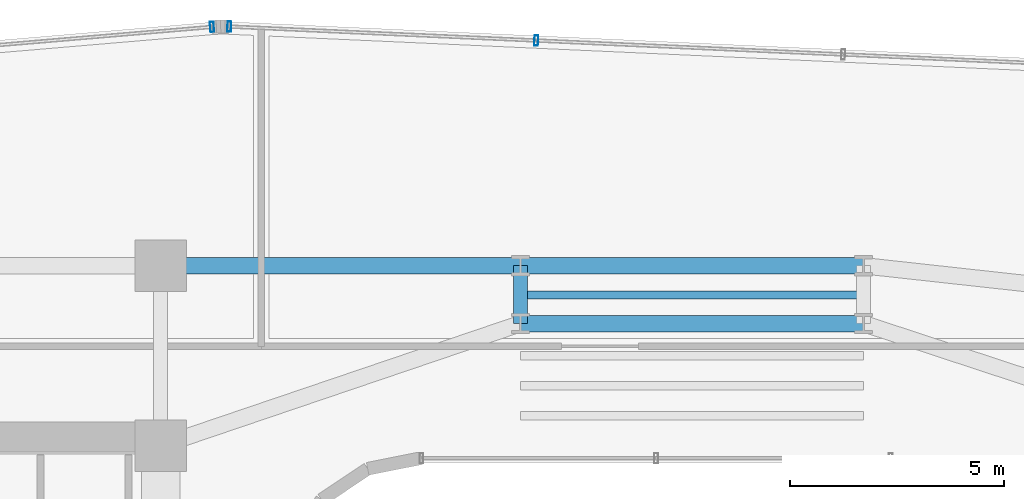
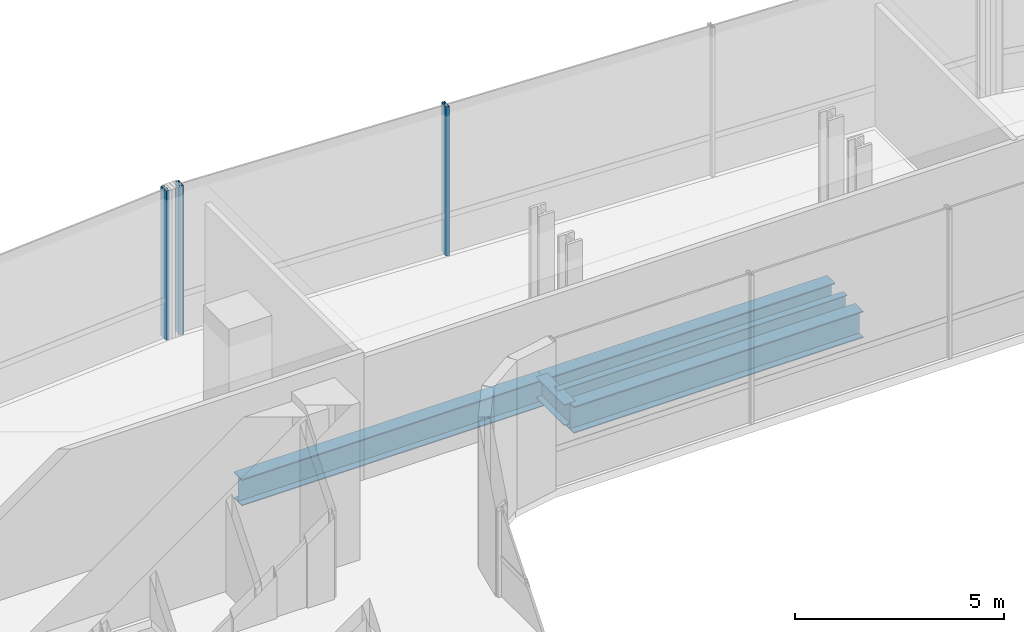
# One storey, part 19 of 32: 5 beams, 3 members, 2 elements without a shape of their own.
"""IFC4 building model written with IfcOpenShell, lengths in metres."""

from ifc_helpers import new_model, si_unit, direction, frame, origin, origin_2d, place, context, subcontext, project, spatial, hollow_rectangle, i_section, extrude, source, transform, mapped, material, material_profile, profile_set, type_object, element, aggregate, save


model = new_model("IFC4")

# Units and contexts
model_context = context("Model", 3, precision=1e-05, world=origin(), true_north=direction((0.0, 1.0)))
body_context = subcontext(model_context, "Body", "Model", "MODEL_VIEW")
ifc_project = project(units=[si_unit("LENGTHUNIT", "METRE"), si_unit("AREAUNIT", "SQUARE_METRE"), si_unit("VOLUMEUNIT", "CUBIC_METRE"), si_unit("PLANEANGLEUNIT", "RADIAN"), si_unit("MASSUNIT", "GRAM", prefix="KILO")], contexts=[model_context])

# Site, building, storey
site_placement = place(None, origin())
site = spatial("IfcSite", under=ifc_project, at=site_placement, CompositionType="ELEMENT")
building_placement = place(site_placement, origin())
building = spatial("IfcBuilding", under=site, at=building_placement, Name="Valdorenza Pilgrim Sanctuary Tower", CompositionType="ELEMENT")
storey_placement = place(building_placement, frame((0.0, 0.0, 101.10009765625)))
storey = spatial("IfcBuildingStorey", under=building, at=storey_placement, Name="L25", CompositionType="ELEMENT", Elevation=101.10009765625)

# Beams
ifc_material_1 = material(Name="Steel ASTM A992 Grade 50", Category="steel")
ifc_material_profile_1 = material_profile(ifc_material_1, i_section(OverallWidth=0.323974609375, OverallDepth=0.611083984375, WebThickness=0.0126953125, FlangeThickness=0.01904296875, at=origin_2d()), Name="W24X104")
ifc_profile_set_1 = profile_set([ifc_material_profile_1], Name="Steel ASTM A992 Grade 50")
beam_type_1 = type_object("IfcBeamType", Name="STR-BM-GRD-W24B", PredefinedType="BEAM", material=ifc_profile_set_1)
shared_shape_1 = source(origin(), body_context, "Body", "SweptSolid", [
    extrude(i_section(OverallWidth=0.323974609375, OverallDepth=0.611083984375, WebThickness=0.0126953125, FlangeThickness=0.01904296875, at=origin_2d()), origin(), (0.0, 0.0, 1.0), 1.35009765625),
])
beam_1_placement = place(storey_placement, frame((-4.0, 13.449951171875, -0.545654296875), z_axis=(0.0, 1.0, 0.0), x_axis=(-1.0, 0.0, 0.0)))
element("IfcBeam", 1, at=beam_1_placement, inside=storey, type_object=beam_type_1, Name="L25 Floor Girder KNK-TIE-W", PredefinedType="BEAM", context=body_context, shape_type="MappedRepresentation", body=[
    mapped(shared_shape_1, transform((0.0, 0.0, 0.0), x_axis=(1.0, 0.0, 0.0), y_axis=(0.0, 1.0, 0.0), z_axis=(0.0, 0.0, 1.0), scale=1.0)),
])
ifc_material_profile_2 = material_profile(ifc_material_1, i_section(OverallWidth=0.382080078125, OverallDepth=0.779052734375, WebThickness=0.01806640625, FlangeThickness=0.030029296875, at=origin_2d()), Name="W30X191")
ifc_profile_set_2 = profile_set([ifc_material_profile_2], Name="Steel ASTM A992 Grade 50")
beam_type_2 = type_object("IfcBeamType", Name="STR-BM-GRD-W30", PredefinedType="BEAM", material=ifc_profile_set_2)
shared_shape_2 = source(origin(), body_context, "Body", "SweptSolid", [
    extrude(i_section(OverallWidth=0.382080078125, OverallDepth=0.779052734375, WebThickness=0.01806640625, FlangeThickness=0.030029296875, at=origin_2d()), origin(), (0.0, 0.0, 1.0), 8.0),
])
for number, where, z_axis, x_axis, name in (
    (2, (-4.0, 13.449951171875, -0.629638671875), (1.0, 0.0, 0.0), (0.0, 1.0, 0.0), "L25 Floor Girder KNK-G2"),
    (3, (-4.0, 14.800048828125, -0.629638671875), (1.0, 0.0, 0.0), (0.0, 1.0, 0.0), "L25 Floor Girder KNK-G5"),
):
    element("IfcBeam", number, at=place(storey_placement, frame(where, z_axis=z_axis, x_axis=x_axis)), inside=storey, type_object=beam_type_2, Name=name, PredefinedType="BEAM", context=body_context, shape_type="MappedRepresentation", body=[
        mapped(shared_shape_2, transform((0.0, 0.0, 0.0), x_axis=(1.0, 0.0, 0.0), y_axis=(0.0, 1.0, 0.0), z_axis=(0.0, 0.0, 1.0), scale=1.0)),
    ])
shared_shape_3 = source(origin(), body_context, "Body", "SweptSolid", [
    extrude(i_section(OverallWidth=0.382080078125, OverallDepth=0.779052734375, WebThickness=0.01806640625, FlangeThickness=0.030029296875, at=origin_2d()), origin(), (0.0, 0.0, 1.0), 8.39990234375),
])
beam_2_placement = place(storey_placement, frame((-12.39990234375, 14.800048828125, -0.629638671875), z_axis=(1.0, 0.0, 0.0), x_axis=(0.0, 1.0, 0.0)))
element("IfcBeam", 4, at=beam_2_placement, inside=storey, type_object=beam_type_2, Name="L25 Floor Girder KNK-G4", PredefinedType="BEAM", context=body_context, shape_type="MappedRepresentation", body=[
    mapped(shared_shape_3, transform((0.0, 0.0, 0.0), x_axis=(1.0, 0.0, 0.0), y_axis=(0.0, 1.0, 0.0), z_axis=(0.0, 0.0, 1.0), scale=1.0)),
])
ifc_material_profile_3 = material_profile(ifc_material_1, i_section(OverallWidth=0.19091796875, OverallDepth=0.45703125, WebThickness=0.009033203125, FlangeThickness=0.014404296875, at=origin_2d()), Name="W18X50")
ifc_profile_set_3 = profile_set([ifc_material_profile_3], Name="Steel ASTM A992 Grade 50")
beam_type_3 = type_object("IfcBeamType", Name="STR-BM-JST-W18B", PredefinedType="JOIST", material=ifc_profile_set_3)
shared_shape_4 = source(origin(), body_context, "Body", "SweptSolid", [
    extrude(i_section(OverallWidth=0.19091796875, OverallDepth=0.45703125, WebThickness=0.009033203125, FlangeThickness=0.014404296875, at=origin_2d()), origin(), (0.0, 0.0, 1.0), 8.0),
])
beam_3_placement = place(storey_placement, frame((-4.0, 14.1201171875, -0.468505859375), z_axis=(1.0, 0.0, 0.0), x_axis=(0.0, 1.0, 0.0)))
element("IfcBeam", 5, at=beam_3_placement, inside=storey, type_object=beam_type_3, Name="L25 Knuckle Composite Joist JST-KNK-4", PredefinedType="JOIST", context=body_context, shape_type="MappedRepresentation", body=[
    mapped(shared_shape_4, transform((0.0, 0.0, 0.0), x_axis=(1.0, 0.0, 0.0), y_axis=(0.0, 1.0, 0.0), z_axis=(0.0, 0.0, 1.0), scale=1.0)),
])

# Curtain wall, member
ifc_material_2 = material(Name="Curtain-wall IGU glazing", Category="glass")
curtain_wall_type = type_object("IfcCurtainWallType", Name="CW-SYS-04", PredefinedType="NOTDEFINED", material=ifc_material_2)
curtain_wall_1_placement = place(storey_placement, origin())
curtain_wall_1 = element("IfcCurtainWall", 6, at=curtain_wall_1_placement, inside=storey, type_object=curtain_wall_type, Name="L25 Curtain Wall CW-L25-1-6", PredefinedType="NOTDEFINED")
ifc_material_3 = material(Name="Anodised aluminium AW-6060", Category="aluminium")
ifc_material_profile_4 = material_profile(ifc_material_3, hollow_rectangle(XDim=0.090087890625, YDim=0.239990234375, WallThickness=0.0048828125, at=origin_2d()), Name="ALU-M 240x90x5")
ifc_profile_set_4 = profile_set([ifc_material_profile_4], Name="Anodised aluminium AW-6060")
member_type = type_object("IfcMemberType", Name="CW-MUL-04", PredefinedType="MULLION", material=ifc_profile_set_4)
shared_shape_5 = source(origin(), body_context, "Body", "SweptSolid", [
    extrude(hollow_rectangle(XDim=0.090087890625, YDim=0.239990234375, WallThickness=0.0048828125, at=origin_2d()), origin(), (0.0, 0.0, 1.0), 4.35986328125),
])
member_1_placement = place(storey_placement, frame((-11.199462890625, 20.37255859375, 0.0), z_axis=(0.0, 0.0, 1.0), x_axis=(0.99640764237, 0.084686541006, 0.0)))
member_1 = element("IfcMember", 7, at=member_1_placement, type_object=member_type, Name="CW-L25-1-6 Mullion 4", PredefinedType="MULLION", context=body_context, shape_type="MappedRepresentation", body=[
    mapped(shared_shape_5, transform((0.0, 0.0, 0.0), x_axis=(1.0, 0.0, 0.0), y_axis=(0.0, 1.0, 0.0), z_axis=(0.0, 0.0, 1.0), scale=1.0)),
])
aggregate(curtain_wall_1, [member_1])

# Curtain wall, members
curtain_wall_2_placement = place(storey_placement, origin())
curtain_wall_2 = element("IfcCurtainWall", 8, at=curtain_wall_2_placement, inside=storey, type_object=curtain_wall_type, Name="L25 Curtain Wall CW-L25-1-11", PredefinedType="NOTDEFINED")
member_2_placement = place(storey_placement, frame((-10.795654296875, 20.380615234375, 0.0), z_axis=(0.0, 0.0, 1.0), x_axis=(0.998968193221, -0.045415294044, 0.0)))
member_2 = element("IfcMember", 9, at=member_2_placement, type_object=member_type, Name="CW-L25-1-11 Mullion 1", PredefinedType="MULLION", context=body_context, shape_type="MappedRepresentation", body=[
    mapped(shared_shape_5, transform((0.0, 0.0, 0.0), x_axis=(1.0, 0.0, 0.0), y_axis=(0.0, 1.0, 0.0), z_axis=(0.0, 0.0, 1.0), scale=1.0)),
])
member_3_placement = place(storey_placement, frame((-3.6337890625, 20.05517578125, 0.0), z_axis=(0.0, 0.0, 1.0), x_axis=(0.998968193221, -0.045415294044, 0.0)))
member_3 = element("IfcMember", 10, at=member_3_placement, type_object=member_type, Name="CW-L25-1-11 Mullion 2", PredefinedType="MULLION", context=body_context, shape_type="MappedRepresentation", body=[
    mapped(shared_shape_5, transform((0.0, 0.0, 0.0), x_axis=(1.0, 0.0, 0.0), y_axis=(0.0, 1.0, 0.0), z_axis=(0.0, 0.0, 1.0), scale=1.0)),
])
aggregate(curtain_wall_2, [member_2, member_3])

save(model, "model.ifc")
